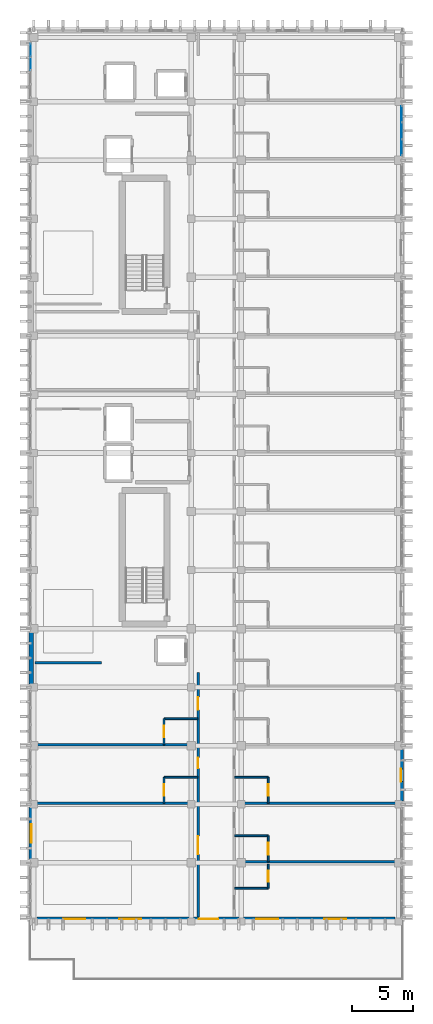
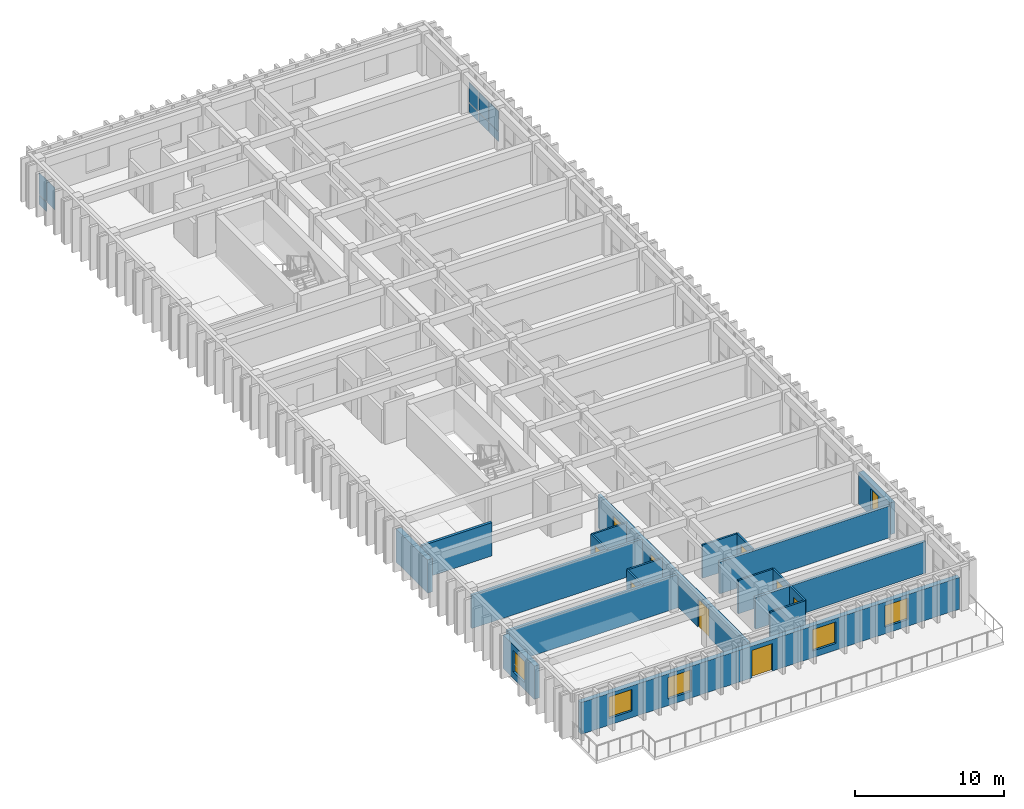
# One storey, part 43 of 53: 20 walls, 9 doors, 9 plates, 6 windows, 15 openings, 2 elements without a shape of their own.
"""IFC4 building model written with IfcOpenShell, lengths in metres."""

from ifc_helpers import new_model, si_unit, direction, frame, frame_2d, origin, origin_2d, place, context, subcontext, project, spatial, rectangle, extrude, material, layer, layer_set, type_object, element, fill, aggregate, save


model = new_model("IFC4")

# Units and contexts
model_context = context("Model", 3, precision=1e-05, world=origin(), true_north=direction((0.0, 1.0)))
body_context = subcontext(model_context, "Body", "Model", "MODEL_VIEW")
ifc_project = project(units=[si_unit("LENGTHUNIT", "METRE"), si_unit("AREAUNIT", "SQUARE_METRE"), si_unit("VOLUMEUNIT", "CUBIC_METRE"), si_unit("PLANEANGLEUNIT", "RADIAN"), si_unit("MASSUNIT", "GRAM", prefix="KILO")], contexts=[model_context])

# Site, building, storey
site_placement = place(None, origin())
site = spatial("IfcSite", under=ifc_project, at=site_placement, CompositionType="ELEMENT")
building_placement = place(site_placement, origin())
building = spatial("IfcBuilding", under=site, at=building_placement, Name="Nakhvara Creek Congress Hotel", CompositionType="ELEMENT")
storey_placement = place(building_placement, frame((0.0, 0.0, 35.39990234375)))
storey = spatial("IfcBuildingStorey", under=building, at=storey_placement, Name="L08", CompositionType="ELEMENT", Elevation=35.39990234375)

# Curtain wall, plates
ifc_material_1 = material(Name="Bronze-anodised aluminium AW-6063-T6 and double-silver low-E glass", Category="aluminium")
ifc_layer_1 = layer(ifc_material_1, 0.199951171875)
ifc_layer_set_1 = layer_set([ifc_layer_1], Name="Bronze-anodised aluminium AW-6063-T6 and double-silver low-E glass")
curtain_wall_type = type_object("IfcCurtainWallType", Name="CW-HTL-UNIT", PredefinedType="USERDEFINED", material=ifc_layer_set_1)
curtain_wall_1_placement = place(storey_placement, origin())
curtain_wall_1 = element("IfcCurtainWall", 1, at=curtain_wall_1_placement, inside=storey, type_object=curtain_wall_type, Name="Curtain Wall CW293", ObjectType="UNITISED", PredefinedType="USERDEFINED")
ifc_material_2 = material(Name="Double-silver solar-control low-E insulated glass", Category="glass")
plate_type = type_object("IfcPlateType", Name="PNL-GLZ-120X250", PredefinedType="CURTAIN_PANEL", material=ifc_material_2)
plate_1_placement = place(storey_placement, frame((179.60009765625, 118.98046875, 0.065185546875), z_axis=(0.0, 0.0, 1.0), x_axis=(0.0, -1.0, 0.0)))
plate_1 = element("IfcPlate", 2, at=plate_1_placement, type_object=plate_type, Name="CW293 panel 1.1", PredefinedType="CURTAIN_PANEL", context=body_context, shape_type="SweptSolid", body=[
    extrude(rectangle(XDim=1.279052734375, YDim=0.028076171875, at=origin_2d()), origin(), (0.0, 0.0, 1.0), 0.75244140625),
])
plate_2_placement = place(storey_placement, frame((179.60009765625, 118.98046875, 0.8828125), z_axis=(0.0, 0.0, 1.0), x_axis=(0.0, -1.0, 0.0)))
plate_2 = element("IfcPlate", 3, at=plate_2_placement, type_object=plate_type, Name="CW293 panel 1.2", PredefinedType="CURTAIN_PANEL", context=body_context, shape_type="SweptSolid", body=[
    extrude(rectangle(XDim=1.279052734375, YDim=0.028076171875, at=origin_2d()), origin(), (0.0, 0.0, 1.0), 1.654541015625),
])
plate_3_placement = place(storey_placement, frame((179.60009765625, 117.6201171875, 0.065185546875), z_axis=(0.0, 0.0, 1.0), x_axis=(0.0, -1.0, 0.0)))
plate_3 = element("IfcPlate", 4, at=plate_3_placement, type_object=plate_type, Name="CW293 panel 2.1", PredefinedType="CURTAIN_PANEL", context=body_context, shape_type="SweptSolid", body=[
    extrude(rectangle(XDim=1.311767578125, YDim=0.028076171875, at=origin_2d()), origin(), (0.0, 0.0, 1.0), 0.75244140625),
])
plate_4_placement = place(storey_placement, frame((179.60009765625, 117.6201171875, 0.8828125), z_axis=(0.0, 0.0, 1.0), x_axis=(0.0, -1.0, 0.0)))
plate_4 = element("IfcPlate", 5, at=plate_4_placement, type_object=plate_type, Name="CW293 panel 2.2", PredefinedType="CURTAIN_PANEL", context=body_context, shape_type="SweptSolid", body=[
    extrude(rectangle(XDim=1.311767578125, YDim=0.028076171875, at=origin_2d()), origin(), (0.0, 0.0, 1.0), 1.654541015625),
])
plate_5_placement = place(storey_placement, frame((179.60009765625, 116.259521484375, 0.065185546875), z_axis=(0.0, 0.0, 1.0), x_axis=(0.0, -1.0, 0.0)))
plate_5 = element("IfcPlate", 6, at=plate_5_placement, type_object=plate_type, Name="CW293 panel 3.1", PredefinedType="CURTAIN_PANEL", context=body_context, shape_type="SweptSolid", body=[
    extrude(rectangle(XDim=1.279052734375, YDim=0.028076171875, at=origin_2d()), origin(), (0.0, 0.0, 1.0), 0.75244140625),
])
plate_6_placement = place(storey_placement, frame((179.60009765625, 116.259521484375, 0.8828125), z_axis=(0.0, 0.0, 1.0), x_axis=(0.0, -1.0, 0.0)))
plate_6 = element("IfcPlate", 7, at=plate_6_placement, type_object=plate_type, Name="CW293 panel 3.2", PredefinedType="CURTAIN_PANEL", context=body_context, shape_type="SweptSolid", body=[
    extrude(rectangle(XDim=1.279052734375, YDim=0.028076171875, at=origin_2d()), origin(), (0.0, 0.0, 1.0), 1.654541015625),
])
aggregate(curtain_wall_1, [plate_1, plate_2, plate_3, plate_4, plate_5, plate_6])

curtain_wall_2_placement = place(storey_placement, origin())
curtain_wall_2 = element("IfcCurtainWall", 8, at=curtain_wall_2_placement, inside=storey, type_object=curtain_wall_type, Name="Curtain Wall CW294", ObjectType="UNITISED", PredefinedType="USERDEFINED")
plate_7_placement = place(storey_placement, frame((149.199951171875, 123.1181640625, 0.8828125), z_axis=(0.0, 0.0, 1.0), x_axis=(0.0, 1.0, 0.0)))
plate_7 = element("IfcPlate", 9, at=plate_7_placement, type_object=plate_type, Name="CW294 panel 3.2", PredefinedType="CURTAIN_PANEL", context=body_context, shape_type="SweptSolid", body=[
    extrude(rectangle(XDim=1.05615234375, YDim=0.028076171875, at=origin_2d()), origin(), (0.0, 0.0, 1.0), 1.784423828125),
])
plate_8_placement = place(storey_placement, frame((149.199951171875, 124.22314453125, 0.065185546875), z_axis=(0.0, 0.0, 1.0), x_axis=(0.0, 1.0, 0.0)))
plate_8 = element("IfcPlate", 10, at=plate_8_placement, type_object=plate_type, Name="CW294 panel 4.1", PredefinedType="CURTAIN_PANEL", context=body_context, shape_type="SweptSolid", body=[
    extrude(rectangle(XDim=1.023681640625, YDim=0.028076171875, at=origin_2d()), origin(), (0.0, 0.0, 1.0), 0.75244140625),
])
plate_9_placement = place(storey_placement, frame((149.199951171875, 124.22314453125, 0.8828125), z_axis=(0.0, 0.0, 1.0), x_axis=(0.0, 1.0, 0.0)))
plate_9 = element("IfcPlate", 11, at=plate_9_placement, type_object=plate_type, Name="CW294 panel 4.2", PredefinedType="CURTAIN_PANEL", context=body_context, shape_type="SweptSolid", body=[
    extrude(rectangle(XDim=1.023681640625, YDim=0.028076171875, at=origin_2d()), origin(), (0.0, 0.0, 1.0), 1.784423828125),
])
aggregate(curtain_wall_2, [plate_7, plate_8, plate_9])

# Wall, openings, doors
ifc_material_3 = material(Name="Gypsum acoustic board on steel stud", Category="steel")
ifc_layer_2 = layer(ifc_material_3, 0.219970703125)
ifc_layer_set_2 = layer_set([ifc_layer_2], Name="Gypsum acoustic board on steel stud")
wall_type_1 = type_object("IfcWallType", Name="W-CORR-220", PredefinedType="PARTITIONING", material=ifc_layer_set_2)
wall_1_placement = place(storey_placement, frame((162.919921875, 53.14990234375, 0.0), z_axis=(0.0, 0.0, 1.0), x_axis=(0.0, 1.0, 0.0)))
wall_1 = element("IfcWall", 12, at=wall_1_placement, inside=storey, type_object=wall_type_1, Name="Interior Wall WP11-IW-L08-0585", PredefinedType="PARTITIONING", context=body_context, shape_type="SweptSolid", body=[
    extrude(rectangle(XDim=20.050048828125, YDim=0.219970703125, at=frame_2d((10.02490234375, 0.0))), origin(), (0.0, 0.0, 1.0), 2.732177734375),
])
opening_1_placement = place(wall_1_placement, frame((5.14990234375, 0.0, 0.0)))
opening_1 = element("IfcOpeningElement", 13, at=opening_1_placement, cuts=wall_1, Name="Opening GD03", PredefinedType="OPENING", context=body_context, shape_type="SweptSolid", body=[
    extrude(rectangle(XDim=1.5, YDim=2.300048828125, at=frame_2d((0.75, 1.14990234375))), frame((0.0, 0.1220703125, 0.0), z_axis=(0.0, -1.0, 0.0), x_axis=(1.0, 0.0, 0.0)), (0.0, 0.0, 1.0), 0.243896484375),
])
opening_2_placement = place(wall_1_placement, frame((12.18798828125, 0.0, 0.0)))
opening_2 = element("IfcOpeningElement", 14, at=opening_2_placement, cuts=wall_1, Name="Opening ID03", PredefinedType="OPENING", context=body_context, shape_type="SweptSolid", body=[
    extrude(rectangle(XDim=0.89990234375, YDim=2.080078125, at=frame_2d((0.449951171875, 1.0400390625))), frame((0.0, 0.1220703125, 0.0), z_axis=(0.0, -1.0, 0.0), x_axis=(1.0, 0.0, 0.0)), (0.0, 0.0, 1.0), 0.243896484375),
])
opening_3_placement = place(wall_1_placement, frame((16.988037109375, 0.0, 0.0)))
opening_3 = element("IfcOpeningElement", 15, at=opening_3_placement, cuts=wall_1, Name="Opening GD04", PredefinedType="OPENING", context=body_context, shape_type="SweptSolid", body=[
    extrude(rectangle(XDim=1.050048828125, YDim=2.219970703125, at=frame_2d((0.52490234375, 1.10986328125))), frame((0.0, 0.1220703125, 0.0), z_axis=(0.0, -1.0, 0.0), x_axis=(1.0, 0.0, 0.0)), (0.0, 0.0, 1.0), 0.243896484375),
])
ifc_material_4 = material(Name="Walnut hardwood timber fire door", Category="wood")
door_type_1 = type_object("IfcDoorType", Name="DT-GUEST-105", OperationType="NOTDEFINED", PredefinedType="DOOR", material=ifc_material_4)
door_1_placement = place(opening_3_placement, frame((1.050048828125, 0.0, 0.0), z_axis=(0.0, 0.0, 1.0), x_axis=(-1.0, 0.0, 0.0)))
door_1 = element("IfcDoor", 16, at=door_1_placement, inside=storey, type_object=door_type_1, Name="Interior Door GD04-0444", OperationType="SINGLE_SWING_LEFT", OverallHeight=2.219970703125, OverallWidth=1.050048828125, PredefinedType="DOOR", context=body_context, shape_type="SweptSolid", body=[
    extrude(rectangle(XDim=1.050048828125, YDim=2.219970703125, at=frame_2d((0.52490234375, 1.10986328125))), frame((0.0, 0.02490234375, 0.0), z_axis=(0.0, -1.0, 0.0), x_axis=(1.0, 0.0, 0.0)), (0.0, 0.0, 1.0), 0.050048828125),
])
fill(opening_3, door_1)
ifc_material_5 = material(Name="Walnut hardwood double fire door", Category="wood")
door_type_2 = type_object("IfcDoorType", Name="DT-SUITE-150", OperationType="DOUBLE_DOOR_SINGLE_SWING", PredefinedType="DOOR", material=ifc_material_5)
door_2_placement = place(opening_1_placement, frame((1.5, 0.0, 0.0), z_axis=(0.0, 0.0, 1.0), x_axis=(-1.0, 0.0, 0.0)))
door_2 = element("IfcDoor", 17, at=door_2_placement, inside=storey, type_object=door_type_2, Name="Interior Door GD03-0438", OperationType="DOUBLE_DOOR_SINGLE_SWING", OverallHeight=2.300048828125, OverallWidth=1.5, PredefinedType="DOOR", context=body_context, shape_type="SweptSolid", body=[
    extrude(rectangle(XDim=1.5, YDim=2.300048828125, at=frame_2d((0.75, 1.14990234375))), frame((0.0, 0.02490234375, 0.0), z_axis=(0.0, -1.0, 0.0), x_axis=(1.0, 0.0, 0.0)), (0.0, 0.0, 1.0), 0.050048828125),
])
fill(opening_1, door_2)
ifc_material_6 = material(Name="Moisture-resistant laminate timber door", Category="wood")
door_type_3 = type_object("IfcDoorType", Name="DT-WC-090", OperationType="NOTDEFINED", PredefinedType="DOOR", material=ifc_material_6)
door_3_placement = place(opening_2_placement, frame((0.89990234375, 0.0, 0.0), z_axis=(0.0, 0.0, 1.0), x_axis=(-1.0, 0.0, 0.0)))
door_3 = element("IfcDoor", 18, at=door_3_placement, inside=storey, type_object=door_type_3, Name="Interior Door ID03-0442", OperationType="SINGLE_SWING_LEFT", OverallHeight=2.080078125, OverallWidth=0.89990234375, PredefinedType="DOOR", context=body_context, shape_type="SweptSolid", body=[
    extrude(rectangle(XDim=0.89990234375, YDim=2.080078125, at=frame_2d((0.449951171875, 1.0400390625))), frame((0.0, 0.02490234375, 0.0), z_axis=(0.0, -1.0, 0.0), x_axis=(1.0, 0.0, 0.0)), (0.0, 0.0, 1.0), 0.050048828125),
])
fill(opening_2, door_3)

# Wall, opening, door
ifc_material_7 = material(Name="Moisture-resistant gypsum board partition")
ifc_layer_3 = layer(ifc_material_7, 0.139892578125)
ifc_layer_set_3 = layer_set([ifc_layer_3], Name="Moisture-resistant gypsum board partition")
wall_type_2 = type_object("IfcWallType", Name="W-ENS-140", PredefinedType="PARTITIONING", material=ifc_layer_set_3)
wall_2_placement = place(storey_placement, frame((160.1298828125, 62.5, 0.0), z_axis=(0.0, 0.0, 1.0), x_axis=(0.0, 1.0, 0.0)))
wall_2 = element("IfcWall", 19, at=wall_2_placement, inside=storey, type_object=wall_type_2, Name="Interior Wall WP15-IW-L08-0597", PredefinedType="PARTITIONING", context=body_context, shape_type="SweptSolid", body=[
    extrude(rectangle(XDim=2.115966796875, YDim=0.139892578125, at=frame_2d((1.05810546875, 0.0))), origin(), (0.0, 0.0, 1.0), 2.732177734375),
])
opening_4_placement = place(wall_2_placement, frame((0.5830078125, 0.0, 0.0)))
opening_4 = element("IfcOpeningElement", 20, at=opening_4_placement, cuts=wall_2, Name="Opening ID02", PredefinedType="OPENING", context=body_context, shape_type="SweptSolid", body=[
    extrude(rectangle(XDim=0.9599609375, YDim=2.1201171875, at=frame_2d((0.47998046875, 1.06005859375))), frame((0.0, 0.08203125, 0.0), z_axis=(0.0, -1.0, 0.0), x_axis=(1.0, 0.0, 0.0)), (0.0, 0.0, 1.0), 0.163818359375),
])
ifc_material_8 = material(Name="Moisture-resistant walnut timber door", Category="wood")
door_type_4 = type_object("IfcDoorType", Name="DT-ENS-096", OperationType="NOTDEFINED", PredefinedType="DOOR", material=ifc_material_8)
door_4_placement = place(opening_4_placement, origin())
door_4 = element("IfcDoor", 21, at=door_4_placement, inside=storey, type_object=door_type_4, Name="Interior Door ID02-0443", OperationType="SINGLE_SWING_RIGHT", OverallHeight=2.1201171875, OverallWidth=0.9599609375, PredefinedType="DOOR", context=body_context, shape_type="SweptSolid", body=[
    extrude(rectangle(XDim=0.9599609375, YDim=2.1201171875, at=frame_2d((0.47998046875, 1.06005859375))), frame((0.0, 0.02490234375, 0.0), z_axis=(0.0, -1.0, 0.0), x_axis=(1.0, 0.0, 0.0)), (0.0, 0.0, 1.0), 0.050048828125),
])
fill(opening_4, door_4)

# Wall
wall_3_placement = place(storey_placement, frame((160.1298828125, 64.615966796875, 0.0), z_axis=(0.0, 0.0, 1.0), x_axis=(1.0, 0.0, 0.0)))
element("IfcWall", 22, at=wall_3_placement, inside=storey, type_object=wall_type_2, Name="Interior Wall WP15-IW-L08-0598", PredefinedType="PARTITIONING", context=body_context, shape_type="SweptSolid", body=[
    extrude(rectangle(XDim=2.75, YDim=0.139892578125, at=frame_2d((1.375, 0.0))), origin(), (0.0, 0.0, 1.0), 2.732177734375),
])

# Wall, opening, door
wall_4_placement = place(storey_placement, frame((160.1298828125, 67.300048828125, 0.0), z_axis=(0.0, 0.0, 1.0), x_axis=(0.0, 1.0, 0.0)))
wall_4 = element("IfcWall", 23, at=wall_4_placement, inside=storey, type_object=wall_type_2, Name="Interior Wall WP15-IW-L08-0600", PredefinedType="PARTITIONING", context=body_context, shape_type="SweptSolid", body=[
    extrude(rectangle(XDim=2.115966796875, YDim=0.139892578125, at=frame_2d((1.05810546875, 0.0))), origin(), (0.0, 0.0, 1.0), 2.732177734375),
])
opening_5_placement = place(wall_4_placement, frame((0.5830078125, 0.0, 0.0)))
opening_5 = element("IfcOpeningElement", 24, at=opening_5_placement, cuts=wall_4, Name="Opening ID02", PredefinedType="OPENING", context=body_context, shape_type="SweptSolid", body=[
    extrude(rectangle(XDim=0.9599609375, YDim=2.1201171875, at=frame_2d((0.47998046875, 1.06005859375))), frame((0.0, 0.08203125, 0.0), z_axis=(0.0, -1.0, 0.0), x_axis=(1.0, 0.0, 0.0)), (0.0, 0.0, 1.0), 0.163818359375),
])
door_5_placement = place(opening_5_placement, origin())
door_5 = element("IfcDoor", 25, at=door_5_placement, inside=storey, type_object=door_type_4, Name="Interior Door ID02-0445", OperationType="SINGLE_SWING_RIGHT", OverallHeight=2.1201171875, OverallWidth=0.9599609375, PredefinedType="DOOR", context=body_context, shape_type="SweptSolid", body=[
    extrude(rectangle(XDim=0.9599609375, YDim=2.1201171875, at=frame_2d((0.47998046875, 1.06005859375))), frame((0.0, 0.02490234375, 0.0), z_axis=(0.0, -1.0, 0.0), x_axis=(1.0, 0.0, 0.0)), (0.0, 0.0, 1.0), 0.050048828125),
])
fill(opening_5, door_5)

# Wall
wall_5_placement = place(storey_placement, frame((160.1298828125, 69.416015625, 0.0), z_axis=(0.0, 0.0, 1.0), x_axis=(1.0, 0.0, 0.0)))
element("IfcWall", 26, at=wall_5_placement, inside=storey, type_object=wall_type_2, Name="Interior Wall WP15-IW-L08-0601", PredefinedType="PARTITIONING", context=body_context, shape_type="SweptSolid", body=[
    extrude(rectangle(XDim=2.75, YDim=0.139892578125, at=frame_2d((1.375, 0.0))), origin(), (0.0, 0.0, 1.0), 2.732177734375),
])

# Wall, opening, door
wall_6_placement = place(storey_placement, frame((168.669921875, 55.52197265625, 0.0), z_axis=(0.0, 0.0, 1.0), x_axis=(0.0, 1.0, 0.0)))
wall_6 = element("IfcWall", 27, at=wall_6_placement, inside=storey, type_object=wall_type_2, Name="Interior Wall WP15-IW-L08-0602", PredefinedType="PARTITIONING", context=body_context, shape_type="SweptSolid", body=[
    extrude(rectangle(XDim=1.97802734375, YDim=0.139892578125, at=frame_2d((0.989013671875, 0.0))), origin(), (0.0, 0.0, 1.0), 2.732177734375),
])
opening_6_placement = place(wall_6_placement, frame((0.513916015625, 0.0, 0.0)))
opening_6 = element("IfcOpeningElement", 28, at=opening_6_placement, cuts=wall_6, Name="Opening ID01", PredefinedType="OPENING", context=body_context, shape_type="SweptSolid", body=[
    extrude(rectangle(XDim=0.919921875, YDim=2.10009765625, at=frame_2d((0.4599609375, 1.050048828125))), frame((0.0, 0.08203125, 0.0), z_axis=(0.0, -1.0, 0.0), x_axis=(1.0, 0.0, 0.0)), (0.0, 0.0, 1.0), 0.163818359375),
])
door_type_5 = type_object("IfcDoorType", Name="DT-ENS-092", OperationType="NOTDEFINED", PredefinedType="DOOR", material=ifc_material_8)
door_6_placement = place(opening_6_placement, frame((0.919921875, 0.0, 0.0), z_axis=(0.0, 0.0, 1.0), x_axis=(-1.0, 0.0, 0.0)))
door_6 = element("IfcDoor", 29, at=door_6_placement, inside=storey, type_object=door_type_5, Name="Interior Door ID01-0447", OperationType="SINGLE_SWING_RIGHT", OverallHeight=2.10009765625, OverallWidth=0.919921875, PredefinedType="DOOR", context=body_context, shape_type="SweptSolid", body=[
    extrude(rectangle(XDim=0.919921875, YDim=2.10009765625, at=frame_2d((0.4599609375, 1.050048828125))), frame((0.0, 0.02490234375, 0.0), z_axis=(0.0, -1.0, 0.0), x_axis=(1.0, 0.0, 0.0)), (0.0, 0.0, 1.0), 0.050048828125),
])
fill(opening_6, door_6)

# Wall
wall_7_placement = place(storey_placement, frame((165.919921875, 55.52197265625, 0.0), z_axis=(0.0, 0.0, 1.0), x_axis=(1.0, 0.0, 0.0)))
element("IfcWall", 30, at=wall_7_placement, inside=storey, type_object=wall_type_2, Name="Interior Wall WP15-IW-L08-0603", PredefinedType="PARTITIONING", context=body_context, shape_type="SweptSolid", body=[
    extrude(rectangle(XDim=2.75, YDim=0.139892578125, at=frame_2d((1.375, 0.0))), origin(), (0.0, 0.0, 1.0), 2.732177734375),
])

# Wall, opening, door
wall_8_placement = place(storey_placement, frame((168.669921875, 57.699951171875, 0.0), z_axis=(0.0, 0.0, 1.0), x_axis=(0.0, 1.0, 0.0)))
wall_8 = element("IfcWall", 31, at=wall_8_placement, inside=storey, type_object=wall_type_2, Name="Interior Wall WP15-IW-L08-0605", PredefinedType="PARTITIONING", context=body_context, shape_type="SweptSolid", body=[
    extrude(rectangle(XDim=2.115966796875, YDim=0.139892578125, at=frame_2d((1.05810546875, 0.0))), origin(), (0.0, 0.0, 1.0), 2.732177734375),
])
opening_7_placement = place(wall_8_placement, frame((0.5830078125, 0.0, 0.0)))
opening_7 = element("IfcOpeningElement", 32, at=opening_7_placement, cuts=wall_8, Name="Opening ID02", PredefinedType="OPENING", context=body_context, shape_type="SweptSolid", body=[
    extrude(rectangle(XDim=0.9599609375, YDim=2.1201171875, at=frame_2d((0.47998046875, 1.06005859375))), frame((0.0, 0.08203125, 0.0), z_axis=(0.0, -1.0, 0.0), x_axis=(1.0, 0.0, 0.0)), (0.0, 0.0, 1.0), 0.163818359375),
])
door_7_placement = place(opening_7_placement, frame((0.9599609375, 0.0, 0.0), z_axis=(0.0, 0.0, 1.0), x_axis=(-1.0, 0.0, 0.0)))
door_7 = element("IfcDoor", 33, at=door_7_placement, inside=storey, type_object=door_type_4, Name="Interior Door ID02-0449", OperationType="SINGLE_SWING_RIGHT", OverallHeight=2.1201171875, OverallWidth=0.9599609375, PredefinedType="DOOR", context=body_context, shape_type="SweptSolid", body=[
    extrude(rectangle(XDim=0.9599609375, YDim=2.1201171875, at=frame_2d((0.47998046875, 1.06005859375))), frame((0.0, 0.02490234375, 0.0), z_axis=(0.0, -1.0, 0.0), x_axis=(1.0, 0.0, 0.0)), (0.0, 0.0, 1.0), 0.050048828125),
])
fill(opening_7, door_7)

# Wall
wall_9_placement = place(storey_placement, frame((165.919921875, 59.81591796875, 0.0), z_axis=(0.0, 0.0, 1.0), x_axis=(1.0, 0.0, 0.0)))
element("IfcWall", 34, at=wall_9_placement, inside=storey, type_object=wall_type_2, Name="Interior Wall WP15-IW-L08-0606", PredefinedType="PARTITIONING", context=body_context, shape_type="SweptSolid", body=[
    extrude(rectangle(XDim=2.75, YDim=0.139892578125, at=frame_2d((1.375, 0.0))), origin(), (0.0, 0.0, 1.0), 2.732177734375),
])

# Wall, opening, door
wall_10_placement = place(storey_placement, frame((168.669921875, 62.5, 0.0), z_axis=(0.0, 0.0, 1.0), x_axis=(0.0, 1.0, 0.0)))
wall_10 = element("IfcWall", 35, at=wall_10_placement, inside=storey, type_object=wall_type_2, Name="Interior Wall WP15-IW-L08-0608", PredefinedType="PARTITIONING", context=body_context, shape_type="SweptSolid", body=[
    extrude(rectangle(XDim=2.115966796875, YDim=0.139892578125, at=frame_2d((1.05810546875, 0.0))), origin(), (0.0, 0.0, 1.0), 2.732177734375),
])
opening_8_placement = place(wall_10_placement, frame((0.5830078125, 0.0, 0.0)))
opening_8 = element("IfcOpeningElement", 36, at=opening_8_placement, cuts=wall_10, Name="Opening ID02", PredefinedType="OPENING", context=body_context, shape_type="SweptSolid", body=[
    extrude(rectangle(XDim=0.9599609375, YDim=2.1201171875, at=frame_2d((0.47998046875, 1.06005859375))), frame((0.0, 0.08203125, 0.0), z_axis=(0.0, -1.0, 0.0), x_axis=(1.0, 0.0, 0.0)), (0.0, 0.0, 1.0), 0.163818359375),
])
door_8_placement = place(opening_8_placement, frame((0.9599609375, 0.0, 0.0), z_axis=(0.0, 0.0, 1.0), x_axis=(-1.0, 0.0, 0.0)))
door_8 = element("IfcDoor", 37, at=door_8_placement, inside=storey, type_object=door_type_4, Name="Interior Door ID02-0451", OperationType="SINGLE_SWING_RIGHT", OverallHeight=2.1201171875, OverallWidth=0.9599609375, PredefinedType="DOOR", context=body_context, shape_type="SweptSolid", body=[
    extrude(rectangle(XDim=0.9599609375, YDim=2.1201171875, at=frame_2d((0.47998046875, 1.06005859375))), frame((0.0, 0.02490234375, 0.0), z_axis=(0.0, -1.0, 0.0), x_axis=(1.0, 0.0, 0.0)), (0.0, 0.0, 1.0), 0.050048828125),
])
fill(opening_8, door_8)

# Wall
wall_11_placement = place(storey_placement, frame((165.919921875, 64.615966796875, 0.0), z_axis=(0.0, 0.0, 1.0), x_axis=(1.0, 0.0, 0.0)))
element("IfcWall", 38, at=wall_11_placement, inside=storey, type_object=wall_type_2, Name="Interior Wall WP15-IW-L08-0609", PredefinedType="PARTITIONING", context=body_context, shape_type="SweptSolid", body=[
    extrude(rectangle(XDim=2.75, YDim=0.139892578125, at=frame_2d((1.375, 0.0))), origin(), (0.0, 0.0, 1.0), 2.732177734375),
])

# Wall, openings, door, windows
ifc_material_9 = material(Name="Honed pale Omani limestone cladding", Category="masonry")
ifc_layer_4 = layer(ifc_material_9, 0.050048828125)
ifc_material_10 = material(Name="Mineral wool thermal insulation")
ifc_layer_5 = layer(ifc_material_10, 0.110107421875)
ifc_material_11 = material(Name="Precast concrete C40/50", Category="concrete")
ifc_layer_6 = layer(ifc_material_11, 0.219970703125)
ifc_layer_set_4 = layer_set([ifc_layer_4, ifc_layer_5, ifc_layer_6], Name="Precast concrete C40/50")
wall_type_3 = type_object("IfcWallType", Name="W-EXT-380", PredefinedType="SOLIDWALL", material=ifc_layer_set_4)
wall_12_placement = place(storey_placement, frame((179.074951171875, 52.989990234375, 0.0), z_axis=(0.0, 0.0, 1.0), x_axis=(-1.0, 0.0, 0.0)))
wall_12 = element("IfcWall", 39, at=wall_12_placement, inside=storey, type_object=wall_type_3, Name="Exterior Wall WE03-EW-L08-0189", PredefinedType="SOLIDWALL", context=body_context, shape_type="SweptSolid", body=[
    extrude(rectangle(XDim=29.349853515625, YDim=0.3798828125, at=frame_2d((14.6748046875, 0.0))), origin(), (0.0, 0.0, 1.0), 2.60205078125),
])
opening_9_placement = place(wall_12_placement, frame((14.5, 0.0, 0.0)))
opening_9 = element("IfcOpeningElement", 40, at=opening_9_placement, cuts=wall_12, Name="Opening TDL08S", PredefinedType="OPENING", context=body_context, shape_type="SweptSolid", body=[
    extrude(rectangle(XDim=1.60009765625, YDim=2.25, at=frame_2d((0.800048828125, 1.125))), frame((0.0, 0.201904296875, 0.0), z_axis=(0.0, -1.0, 0.0), x_axis=(1.0, 0.0, 0.0)), (0.0, 0.0, 1.0), 0.40380859375),
])
opening_10_placement = place(wall_12_placement, frame((4.0, 0.0, 0.550048828125)))
opening_10 = element("IfcOpeningElement", 41, at=opening_10_placement, cuts=wall_12, Name="Opening WN0205", PredefinedType="OPENING", context=body_context, shape_type="SweptSolid", body=[
    extrude(rectangle(XDim=1.800048828125, YDim=1.760009765625, at=frame_2d((0.89990234375, 0.8798828125))), frame((0.0, 0.201904296875, 0.0), z_axis=(0.0, -1.0, 0.0), x_axis=(1.0, 0.0, 0.0)), (0.0, 0.0, 1.0), 0.40380859375),
])
opening_11_placement = place(wall_12_placement, frame((9.60009765625, 0.0, 0.550048828125)))
opening_11 = element("IfcOpeningElement", 42, at=opening_11_placement, cuts=wall_12, Name="Opening WN0206", PredefinedType="OPENING", context=body_context, shape_type="SweptSolid", body=[
    extrude(rectangle(XDim=1.800048828125, YDim=1.760009765625, at=frame_2d((0.89990234375, 0.8798828125))), frame((0.0, 0.201904296875, 0.0), z_axis=(0.0, -1.0, 0.0), x_axis=(1.0, 0.0, 0.0)), (0.0, 0.0, 1.0), 0.40380859375),
])
opening_12_placement = place(wall_12_placement, frame((20.800048828125, 0.0, 0.550048828125)))
opening_12 = element("IfcOpeningElement", 43, at=opening_12_placement, cuts=wall_12, Name="Opening WN0207", PredefinedType="OPENING", context=body_context, shape_type="SweptSolid", body=[
    extrude(rectangle(XDim=1.800048828125, YDim=1.760009765625, at=frame_2d((0.89990234375, 0.8798828125))), frame((0.0, 0.201904296875, 0.0), z_axis=(0.0, -1.0, 0.0), x_axis=(1.0, 0.0, 0.0)), (0.0, 0.0, 1.0), 0.40380859375),
])
opening_13_placement = place(wall_12_placement, frame((25.39990234375, 0.0, 0.550048828125)))
opening_13 = element("IfcOpeningElement", 44, at=opening_13_placement, cuts=wall_12, Name="Opening WN0208", PredefinedType="OPENING", context=body_context, shape_type="SweptSolid", body=[
    extrude(rectangle(XDim=1.800048828125, YDim=1.760009765625, at=frame_2d((0.89990234375, 0.8798828125))), frame((0.0, 0.201904296875, 0.0), z_axis=(0.0, -1.0, 0.0), x_axis=(1.0, 0.0, 0.0)), (0.0, 0.0, 1.0), 0.40380859375),
])
ifc_material_12 = material(Name="Bronze-anodised aluminium and laminated low-E glass", Category="aluminium")
door_type_6 = type_object("IfcDoorType", Name="DT-EXT-TER160", OperationType="DOUBLE_DOOR_SINGLE_SWING", PredefinedType="DOOR", material=ifc_material_12)
door_9_placement = place(opening_9_placement, origin())
door_9 = element("IfcDoor", 45, at=door_9_placement, inside=storey, type_object=door_type_6, Name="Creekside Setback Terrace Door TDL08S", OperationType="DOUBLE_DOOR_SINGLE_SWING", OverallHeight=2.25, OverallWidth=1.60009765625, PredefinedType="DOOR", context=body_context, shape_type="SweptSolid", body=[
    extrude(rectangle(XDim=1.60009765625, YDim=2.25, at=frame_2d((0.800048828125, 1.125))), frame((0.0, 0.02490234375, 0.0), z_axis=(0.0, -1.0, 0.0), x_axis=(1.0, 0.0, 0.0)), (0.0, 0.0, 1.0), 0.050048828125),
])
fill(opening_9, door_9)
ifc_material_13 = material(Name="Thermally broken bronze-anodised aluminium and double-silver low-E insulated glass", Category="aluminium")
window_type_1 = type_object("IfcWindowType", Name="WN-LAN-180X225", PartitioningType="SINGLE_PANEL", PredefinedType="WINDOW", material=ifc_material_13)
window_1_placement = place(opening_10_placement, origin())
window_1 = element("IfcWindow", 46, at=window_1_placement, inside=storey, type_object=window_type_1, Name="Facade Window WN0205", OverallHeight=1.760009765625, OverallWidth=1.800048828125, PartitioningType="SINGLE_PANEL", PredefinedType="WINDOW", context=body_context, shape_type="SweptSolid", body=[
    extrude(rectangle(XDim=1.800048828125, YDim=1.760009765625, at=frame_2d((0.89990234375, 0.8798828125))), frame((0.0, 0.030029296875, 0.0), z_axis=(0.0, -1.0, 0.0), x_axis=(1.0, 0.0, 0.0)), (0.0, 0.0, 1.0), 0.06005859375),
])
fill(opening_10, window_1)
window_2_placement = place(opening_11_placement, origin())
window_2 = element("IfcWindow", 47, at=window_2_placement, inside=storey, type_object=window_type_1, Name="Facade Window WN0206", OverallHeight=1.760009765625, OverallWidth=1.800048828125, PartitioningType="SINGLE_PANEL", PredefinedType="WINDOW", context=body_context, shape_type="SweptSolid", body=[
    extrude(rectangle(XDim=1.800048828125, YDim=1.760009765625, at=frame_2d((0.89990234375, 0.8798828125))), frame((0.0, 0.030029296875, 0.0), z_axis=(0.0, -1.0, 0.0), x_axis=(1.0, 0.0, 0.0)), (0.0, 0.0, 1.0), 0.06005859375),
])
fill(opening_11, window_2)
window_3_placement = place(opening_12_placement, origin())
window_3 = element("IfcWindow", 48, at=window_3_placement, inside=storey, type_object=window_type_1, Name="Facade Window WN0207", OverallHeight=1.760009765625, OverallWidth=1.800048828125, PartitioningType="SINGLE_PANEL", PredefinedType="WINDOW", context=body_context, shape_type="SweptSolid", body=[
    extrude(rectangle(XDim=1.800048828125, YDim=1.760009765625, at=frame_2d((0.89990234375, 0.8798828125))), frame((0.0, 0.030029296875, 0.0), z_axis=(0.0, -1.0, 0.0), x_axis=(1.0, 0.0, 0.0)), (0.0, 0.0, 1.0), 0.06005859375),
])
fill(opening_12, window_3)
window_4_placement = place(opening_13_placement, origin())
window_4 = element("IfcWindow", 49, at=window_4_placement, inside=storey, type_object=window_type_1, Name="Facade Window WN0208", OverallHeight=1.760009765625, OverallWidth=1.800048828125, PartitioningType="SINGLE_PANEL", PredefinedType="WINDOW", context=body_context, shape_type="SweptSolid", body=[
    extrude(rectangle(XDim=1.800048828125, YDim=1.760009765625, at=frame_2d((0.89990234375, 0.8798828125))), frame((0.0, 0.030029296875, 0.0), z_axis=(0.0, -1.0, 0.0), x_axis=(1.0, 0.0, 0.0)), (0.0, 0.0, 1.0), 0.06005859375),
])
fill(opening_13, window_4)

# Wall, opening, window
wall_13_placement = place(storey_placement, frame((149.239990234375, 57.9150390625, 0.0), z_axis=(0.0, 0.0, 1.0), x_axis=(0.0, 1.0, 0.0)))
wall_13 = element("IfcWall", 50, at=wall_13_placement, inside=storey, type_object=wall_type_3, Name="Exterior Wall WE03-EW-L08-0190", PredefinedType="SOLIDWALL", context=body_context, shape_type="SweptSolid", body=[
    extrude(rectangle(XDim=4.2099609375, YDim=0.3798828125, at=frame_2d((2.10498046875, 0.0))), origin(), (0.0, 0.0, 1.0), 2.732177734375),
])
opening_14_placement = place(wall_13_placement, frame((1.35498046875, 0.0, 0.550048828125)))
opening_14 = element("IfcOpeningElement", 51, at=opening_14_placement, cuts=wall_13, Name="Opening WN0209", PredefinedType="OPENING", context=body_context, shape_type="SweptSolid", body=[
    extrude(rectangle(XDim=1.5, YDim=1.739990234375, at=frame_2d((0.75, 0.8701171875))), frame((0.0, 0.201904296875, 0.0), z_axis=(0.0, -1.0, 0.0), x_axis=(1.0, 0.0, 0.0)), (0.0, 0.0, 1.0), 0.40380859375),
])
window_type_2 = type_object("IfcWindowType", Name="WN-LAN-150X220", PartitioningType="SINGLE_PANEL", PredefinedType="WINDOW", material=ifc_material_13)
window_5_placement = place(opening_14_placement, origin())
window_5 = element("IfcWindow", 52, at=window_5_placement, inside=storey, type_object=window_type_2, Name="Facade Window WN0209", OverallHeight=1.739990234375, OverallWidth=1.5, PartitioningType="SINGLE_PANEL", PredefinedType="WINDOW", context=body_context, shape_type="SweptSolid", body=[
    extrude(rectangle(XDim=1.5, YDim=1.739990234375, at=frame_2d((0.75, 0.8701171875))), frame((0.0, 0.030029296875, 0.0), z_axis=(0.0, -1.0, 0.0), x_axis=(1.0, 0.0, 0.0)), (0.0, 0.0, 1.0), 0.06005859375),
])
fill(opening_14, window_5)

wall_14_placement = place(storey_placement, frame((179.56005859375, 66.885009765625, 0.0), z_axis=(0.0, 0.0, 1.0), x_axis=(0.0, -1.0, 0.0)))
wall_14 = element("IfcWall", 53, at=wall_14_placement, inside=storey, type_object=wall_type_3, Name="Exterior Wall WE03-EW-L08-0191", PredefinedType="SOLIDWALL", context=body_context, shape_type="SweptSolid", body=[
    extrude(rectangle(XDim=4.2099609375, YDim=0.3798828125, at=frame_2d((2.10498046875, 0.0))), origin(), (0.0, 0.0, 1.0), 2.60205078125),
])
opening_15_placement = place(wall_14_placement, frame((1.580078125, 0.0, 0.550048828125)))
opening_15 = element("IfcOpeningElement", 54, at=opening_15_placement, cuts=wall_14, Name="Opening WN0210", PredefinedType="OPENING", context=body_context, shape_type="SweptSolid", body=[
    extrude(rectangle(XDim=1.050048828125, YDim=1.64990234375, at=frame_2d((0.52490234375, 0.824951171875))), frame((0.0, 0.201904296875, 0.0), z_axis=(0.0, -1.0, 0.0), x_axis=(1.0, 0.0, 0.0)), (0.0, 0.0, 1.0), 0.40380859375),
])
window_type_3 = type_object("IfcWindowType", Name="WN-LAN-105X180", PartitioningType="SINGLE_PANEL", PredefinedType="WINDOW", material=ifc_material_13)
window_6_placement = place(opening_15_placement, origin())
window_6 = element("IfcWindow", 55, at=window_6_placement, inside=storey, type_object=window_type_3, Name="Facade Window WN0210", OverallHeight=1.64990234375, OverallWidth=1.050048828125, PartitioningType="SINGLE_PANEL", PredefinedType="WINDOW", context=body_context, shape_type="SweptSolid", body=[
    extrude(rectangle(XDim=1.050048828125, YDim=1.64990234375, at=frame_2d((0.52490234375, 0.824951171875))), frame((0.0, 0.030029296875, 0.0), z_axis=(0.0, -1.0, 0.0), x_axis=(1.0, 0.0, 0.0)), (0.0, 0.0, 1.0), 0.06005859375),
])
fill(opening_15, window_6)

# Walls
wall_15_placement = place(storey_placement, frame((149.239990234375, 72.27490234375, 0.0), z_axis=(0.0, 0.0, 1.0), x_axis=(0.0, 1.0, 0.0)))
element("IfcWall", 56, at=wall_15_placement, inside=storey, type_object=wall_type_3, Name="Exterior Wall WE03-EW-L08-0192", PredefinedType="SOLIDWALL", context=body_context, shape_type="SweptSolid", body=[
    extrude(rectangle(XDim=4.210205078125, YDim=0.3798828125, at=frame_2d((2.10498046875, 0.0))), origin(), (0.0, 0.0, 1.0), 2.732177734375),
])
ifc_layer_7 = layer(ifc_material_3, 0.199951171875)
ifc_layer_set_5 = layer_set([ifc_layer_7], Name="Gypsum acoustic board on steel stud")
wall_type_4 = type_object("IfcWallType", Name="W-PART-200", PredefinedType="PARTITIONING", material=ifc_layer_set_5)
wall_16_placement = place(storey_placement, frame((149.550048828125, 74.0, 0.0), z_axis=(0.0, 0.0, 1.0), x_axis=(1.0, 0.0, 0.0)))
element("IfcWall", 57, at=wall_16_placement, inside=storey, type_object=wall_type_4, Name="Interior Wall WP12-IW-L08-0593", PredefinedType="PARTITIONING", context=body_context, shape_type="SweptSolid", body=[
    extrude(rectangle(XDim=5.449951171875, YDim=0.199951171875, at=frame_2d((2.72509765625, 0.0))), origin(), (0.0, 0.0, 1.0), 2.732177734375),
])
for number, where, z_axis, x_axis, name in (
    (58, (149.550048828125, 62.5, 0.0), (0.0, 0.0, 1.0), (1.0, 0.0, 0.0), "Interior Wall WP12-IW-L08-0596"),
    (59, (149.550048828125, 67.300048828125, 0.0), (0.0, 0.0, 1.0), (1.0, 0.0, 0.0), "Interior Wall WP12-IW-L08-0599"),
):
    element("IfcWall", number, at=place(storey_placement, frame(where, z_axis=z_axis, x_axis=x_axis)), inside=storey, type_object=wall_type_4, Name=name, PredefinedType="PARTITIONING", context=body_context, shape_type="SweptSolid", body=[
        extrude(rectangle(XDim=13.22998046875, YDim=0.199951171875, at=frame_2d((6.614990234375, 0.0))), origin(), (0.0, 0.0, 1.0), 2.732177734375),
    ])
for number, where, z_axis, x_axis, name in (
    (60, (166.02001953125, 57.699951171875, 0.0), (0.0, 0.0, 1.0), (1.0, 0.0, 0.0), "Interior Wall WP12-IW-L08-0604"),
    (61, (166.02001953125, 62.5, 0.0), (0.0, 0.0, 1.0), (1.0, 0.0, 0.0), "Interior Wall WP12-IW-L08-0607"),
):
    element("IfcWall", number, at=place(storey_placement, frame(where, z_axis=z_axis, x_axis=x_axis)), inside=storey, type_object=wall_type_4, Name=name, PredefinedType="PARTITIONING", context=body_context, shape_type="SweptSolid", body=[
        extrude(rectangle(XDim=13.22998046875, YDim=0.199951171875, at=frame_2d((6.614990234375, 0.0))), origin(), (0.0, 0.0, 1.0), 2.60205078125),
    ])

save(model, "model.ifc")
